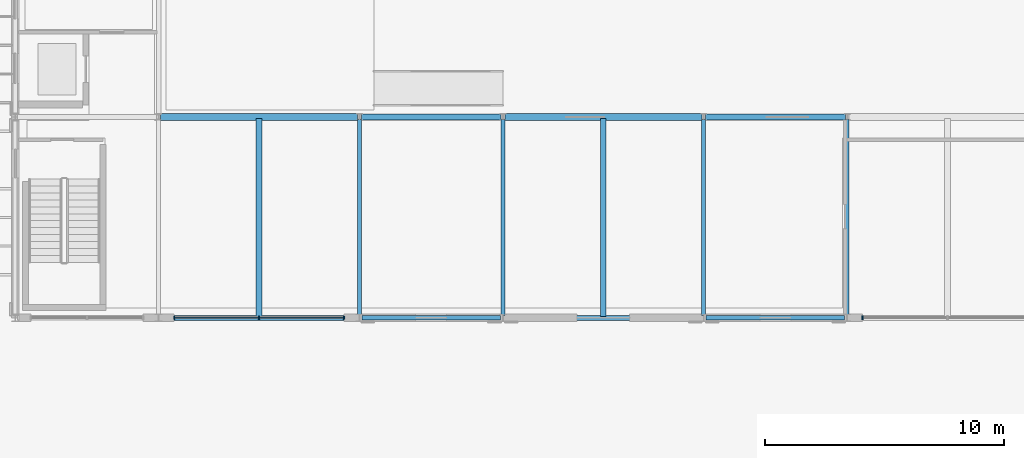
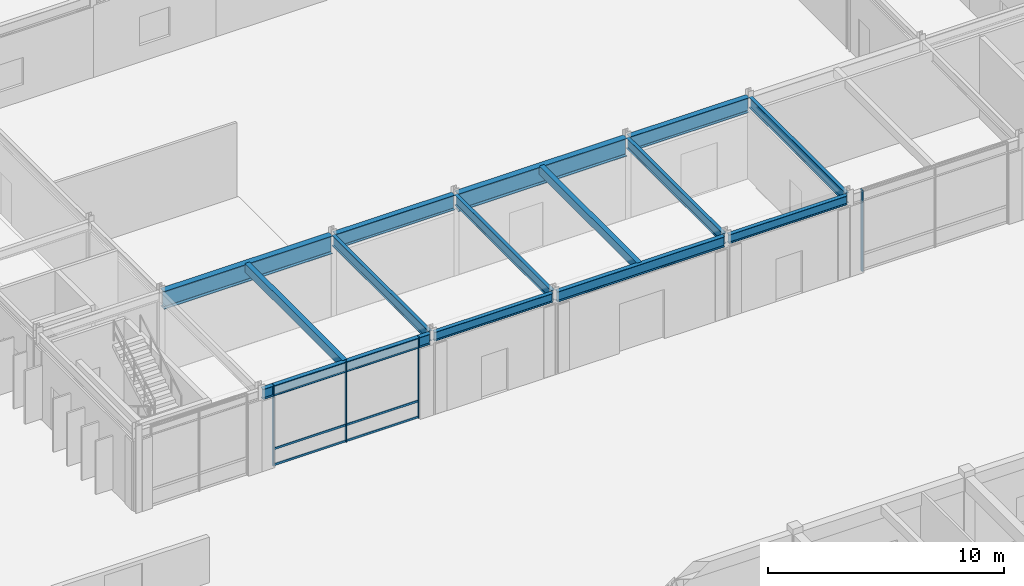
# One storey, part 17 of 67: 14 beams, 7 members, 2 elements without a shape of their own.
"""IFC4 building model written with IfcOpenShell, lengths in metres."""

from ifc_helpers import new_model, si_unit, direction, frame, origin, origin_2d, place, context, subcontext, project, spatial, rectangle, i_section, extrude, material, material_profile, profile_set, type_object, element, aggregate, save


model = new_model("IFC4")

# Units and contexts
model_context = context("Model", 3, precision=1e-05, world=origin(), true_north=direction((0.0, 1.0)))
body_context = subcontext(model_context, "Body", "Model", "MODEL_VIEW")
ifc_project = project(units=[si_unit("LENGTHUNIT", "METRE"), si_unit("AREAUNIT", "SQUARE_METRE"), si_unit("VOLUMEUNIT", "CUBIC_METRE"), si_unit("PLANEANGLEUNIT", "RADIAN"), si_unit("MASSUNIT", "GRAM", prefix="KILO"), si_unit("THERMODYNAMICTEMPERATUREUNIT", "KELVIN")], contexts=[model_context])

# Site, building, storey
site_placement = place(None, origin())
site = spatial("IfcSite", under=ifc_project, at=site_placement, CompositionType="ELEMENT")
building_placement = place(site_placement, origin())
building = spatial("IfcBuilding", under=site, at=building_placement, Name="Thalorik Housing Commons", CompositionType="ELEMENT")
storey_placement = place(building_placement, origin())
storey = spatial("IfcBuildingStorey", under=building, at=storey_placement, Name="L00", CompositionType="ELEMENT", Elevation=0.0)

# Curtain wall, members
ifc_material_1 = material(Name="Anodised aluminium and solar-control low-E glass", Category="aluminium")
curtain_wall_type = type_object("IfcCurtainWallType", Name="ARC-CW-CIVIC", PredefinedType="USERDEFINED", material=ifc_material_1)
curtain_wall_1_placement = place(storey_placement, origin())
curtain_wall_1 = element("IfcCurtainWall", 1, at=curtain_wall_1_placement, inside=storey, type_object=curtain_wall_type, Name="L00 Curtain Wall CW-HALL-L00-210", ObjectType="CURTAIN WALL", PredefinedType="USERDEFINED")
ifc_material_2 = material(Name="Anodised aluminium 6063-T6", Category="aluminium")
ifc_material_profile_1 = material_profile(ifc_material_2, rectangle(XDim=0.054931640625, YDim=0.139892578125, at=origin_2d()), Name="ALU MUL 55x140", Category="aluminium")
ifc_profile_set_1 = profile_set([ifc_material_profile_1], Name="Anodised aluminium 6063-T6")
member_type_1 = type_object("IfcMemberType", Name="ARC-CW-MUL-55x140", PredefinedType="MULLION", material=ifc_profile_set_1)
member_1_placement = place(storey_placement, frame((72.64990234375, 57.60009765625, 0.0), z_axis=(0.0, 0.0, 1.0), x_axis=(1.0, 0.0, 0.0)))
member_1 = element("IfcMember", 2, at=member_1_placement, type_object=member_type_1, Name="CW-HALL-L00-210 Mullion 1", PredefinedType="MULLION", context=body_context, shape_type="SweptSolid", body=[
    extrude(rectangle(XDim=0.054931640625, YDim=0.139892578125, at=origin_2d()), origin(), (0.0, 0.0, 1.0), 4.199951171875),
])
member_2_placement = place(storey_placement, frame((76.199951171875, 57.60009765625, 0.0), z_axis=(0.0, 0.0, 1.0), x_axis=(1.0, 0.0, 0.0)))
member_2 = element("IfcMember", 3, at=member_2_placement, type_object=member_type_1, Name="CW-HALL-L00-210 Mullion 2", PredefinedType="MULLION", context=body_context, shape_type="SweptSolid", body=[
    extrude(rectangle(XDim=0.054931640625, YDim=0.139892578125, at=origin_2d()), origin(), (0.0, 0.0, 1.0), 4.199951171875),
])
member_3_placement = place(storey_placement, frame((79.75, 57.60009765625, 0.0), z_axis=(0.0, 0.0, 1.0), x_axis=(1.0, 0.0, 0.0)))
member_3 = element("IfcMember", 4, at=member_3_placement, type_object=member_type_1, Name="CW-HALL-L00-210 Mullion 3", PredefinedType="MULLION", context=body_context, shape_type="SweptSolid", body=[
    extrude(rectangle(XDim=0.054931640625, YDim=0.139892578125, at=origin_2d()), origin(), (0.0, 0.0, 1.0), 4.199951171875),
])

# Curtain wall, member
curtain_wall_2_placement = place(storey_placement, origin())
curtain_wall_2 = element("IfcCurtainWall", 5, at=curtain_wall_2_placement, inside=storey, type_object=curtain_wall_type, Name="L00 Curtain Wall CW-HALL-L00-211", ObjectType="CURTAIN WALL", PredefinedType="USERDEFINED")
ifc_material_profile_2 = material_profile(ifc_material_2, rectangle(XDim=0.06005859375, YDim=0.159912109375, at=origin_2d()), Name="ALU MUL 60x160", Category="aluminium")
ifc_profile_set_2 = profile_set([ifc_material_profile_2], Name="Anodised aluminium 6063-T6")
member_type_2 = type_object("IfcMemberType", Name="ARC-CW-MUL-60x160", PredefinedType="MULLION", material=ifc_profile_set_2)
member_4_placement = place(storey_placement, frame((101.449951171875, 57.60009765625, 0.0), z_axis=(0.0, 0.0, 1.0), x_axis=(1.0, 0.0, 0.0)))
member_4 = element("IfcMember", 6, at=member_4_placement, type_object=member_type_2, Name="CW-HALL-L00-211 Mullion 1", PredefinedType="MULLION", context=body_context, shape_type="SweptSolid", body=[
    extrude(rectangle(XDim=0.06005859375, YDim=0.159912109375, at=origin_2d()), origin(), (0.0, 0.0, 1.0), 4.199951171875),
])
aggregate(curtain_wall_2, [member_4])

# Member
ifc_material_profile_3 = material_profile(ifc_material_2, rectangle(XDim=0.054931640625, YDim=0.10498046875, at=origin_2d()), Name="ALU TRN 55x105", Category="aluminium")
ifc_profile_set_3 = profile_set([ifc_material_profile_3], Name="Anodised aluminium 6063-T6")
member_type_3 = type_object("IfcMemberType", Name="ARC-CW-TRN-55x105", PredefinedType="USERDEFINED", material=ifc_profile_set_3)
member_5_placement = place(storey_placement, frame((72.64990234375, 57.60009765625, 0.054931640625), z_axis=(1.0, 0.0, 0.0), x_axis=(0.0, 1.0, 0.0)))
member_5 = element("IfcMember", 7, at=member_5_placement, type_object=member_type_3, Name="CW-HALL-L00-210 Transom 1", ObjectType="TRANSOM", PredefinedType="USERDEFINED", context=body_context, shape_type="SweptSolid", body=[
    extrude(rectangle(XDim=0.054931640625, YDim=0.10498046875, at=origin_2d()), origin(), (0.0, 0.0, 1.0), 7.10009765625),
])

member_6_placement = place(storey_placement, frame((72.64990234375, 57.60009765625, 0.8798828125), z_axis=(1.0, 0.0, 0.0), x_axis=(0.0, 1.0, 0.0)))
member_6 = element("IfcMember", 8, at=member_6_placement, type_object=member_type_3, Name="CW-HALL-L00-210 Transom 2", ObjectType="TRANSOM", PredefinedType="USERDEFINED", context=body_context, shape_type="SweptSolid", body=[
    extrude(rectangle(XDim=0.054931640625, YDim=0.10498046875, at=origin_2d()), origin(), (0.0, 0.0, 1.0), 7.10009765625),
])

member_7_placement = place(storey_placement, frame((72.64990234375, 57.60009765625, 4.14501953125), z_axis=(1.0, 0.0, 0.0), x_axis=(0.0, 1.0, 0.0)))
member_7 = element("IfcMember", 9, at=member_7_placement, type_object=member_type_3, Name="CW-HALL-L00-210 Transom 3", ObjectType="TRANSOM", PredefinedType="USERDEFINED", context=body_context, shape_type="SweptSolid", body=[
    extrude(rectangle(XDim=0.054931640625, YDim=0.10498046875, at=origin_2d()), origin(), (0.0, 0.0, 1.0), 7.10009765625),
])

aggregate(curtain_wall_1, [member_1, member_2, member_3, member_5, member_6, member_7])

# Beams
ifc_material_3 = material(Name="Steel S355", Category="steel")
ifc_material_profile_4 = material_profile(ifc_material_3, i_section(OverallWidth=0.19189453125, OverallDepth=0.462890625, WebThickness=0.010498046875, FlangeThickness=0.017578125, FilletRadius=0.011962890625, at=origin_2d()), Name="W460x89", Category="steel")
ifc_profile_set_4 = profile_set([ifc_material_profile_4], Name="Steel S355")
beam_type_1 = type_object("IfcBeamType", Name="STR-BM-W460x89", PredefinedType="BEAM", material=ifc_profile_set_4)
for number, where, z_axis, x_axis, name in (
    (10, (80.5048828125, 57.60009765625, 3.968505859375), (1.0, 0.0, 0.0), (0.0, 1.0, 0.0), "L00 Beam SB-460"),
    (11, (94.905029296875, 57.60009765625, 3.968505859375), (1.0, 0.0, 0.0), (0.0, 1.0, 0.0), "L00 Beam SB-460"),
):
    element("IfcBeam", number, at=place(storey_placement, frame(where, z_axis=z_axis, x_axis=x_axis)), inside=storey, type_object=beam_type_1, Name=name, PredefinedType="BEAM", context=body_context, shape_type="SweptSolid", body=[
        extrude(i_section(OverallWidth=0.19189453125, OverallDepth=0.462890625, WebThickness=0.010498046875, FlangeThickness=0.017578125, FilletRadius=0.011962890625, at=origin_2d()), origin(), (0.0, 0.0, 1.0), 5.7900390625),
    ])
ifc_material_profile_5 = material_profile(ifc_material_3, i_section(OverallWidth=0.2109375, OverallDepth=0.5390625, WebThickness=0.01171875, FlangeThickness=0.018798828125, FilletRadius=0.012939453125, at=origin_2d()), Name="W530x109", Category="steel")
ifc_profile_set_5 = profile_set([ifc_material_profile_5], Name="Steel S355")
beam_type_2 = type_object("IfcBeamType", Name="STR-BM-W530x109", PredefinedType="BEAM", material=ifc_profile_set_5)
beam_1_placement = place(storey_placement, frame((72.10498046875, 57.60009765625, 3.930419921875), z_axis=(1.0, 0.0, 0.0), x_axis=(0.0, 1.0, 0.0)))
element("IfcBeam", 12, at=beam_1_placement, inside=storey, type_object=beam_type_2, Name="L00 Beam SB-530", PredefinedType="BEAM", context=body_context, shape_type="SweptSolid", body=[
    extrude(i_section(OverallWidth=0.2109375, OverallDepth=0.5390625, WebThickness=0.01171875, FlangeThickness=0.018798828125, FilletRadius=0.012939453125, at=origin_2d()), origin(), (0.0, 0.0, 1.0), 8.18994140625),
])
beam_2_placement = place(storey_placement, frame((86.5048828125, 57.60009765625, 3.930419921875), z_axis=(1.0, 0.0, 0.0), x_axis=(0.0, 1.0, 0.0)))
element("IfcBeam", 13, at=beam_2_placement, inside=storey, type_object=beam_type_2, Name="L00 Beam SB-530", PredefinedType="BEAM", context=body_context, shape_type="SweptSolid", body=[
    extrude(i_section(OverallWidth=0.2109375, OverallDepth=0.5390625, WebThickness=0.01171875, FlangeThickness=0.018798828125, FilletRadius=0.012939453125, at=origin_2d()), origin(), (0.0, 0.0, 1.0), 8.190185546875),
])
ifc_material_profile_6 = material_profile(ifc_material_3, i_section(OverallWidth=0.166015625, OverallDepth=0.534912109375, WebThickness=0.01025390625, FlangeThickness=0.0166015625, FilletRadius=0.012939453125, at=origin_2d()), Name="W530x85", Category="steel")
ifc_profile_set_6 = profile_set([ifc_material_profile_6], Name="Steel S355")
beam_type_3 = type_object("IfcBeamType", Name="STR-BM-W530x85", PredefinedType="BEAM", material=ifc_profile_set_6)
for number, where, z_axis, x_axis, name in (
    (14, (80.39990234375, 57.7041015625, 3.9326171875), (0.0, 1.0, 0.0), (-1.0, 0.0, 0.0), "L00 Beam SB-535"),
    (15, (86.39990234375, 57.7041015625, 3.9326171875), (0.0, 1.0, 0.0), (-1.0, 0.0, 0.0), "L00 Beam SB-535"),
    (16, (94.800048828125, 57.7041015625, 3.9326171875), (0.0, 1.0, 0.0), (-1.0, 0.0, 0.0), "L00 Beam SB-535"),
    (17, (100.800048828125, 57.7041015625, 3.9326171875), (0.0, 1.0, 0.0), (-1.0, 0.0, 0.0), "L00 Beam SB-535"),
):
    element("IfcBeam", number, at=place(storey_placement, frame(where, z_axis=z_axis, x_axis=x_axis)), inside=storey, type_object=beam_type_3, Name=name, PredefinedType="BEAM", context=body_context, shape_type="SweptSolid", body=[
        extrude(i_section(OverallWidth=0.166015625, OverallDepth=0.534912109375, WebThickness=0.01025390625, FlangeThickness=0.0166015625, FilletRadius=0.012939453125, at=origin_2d()), origin(), (0.0, 0.0, 1.0), 8.218994140625),
    ])
ifc_material_profile_7 = material_profile(ifc_material_3, i_section(OverallWidth=0.26806640625, OverallDepth=0.77001953125, WebThickness=0.015625, FlangeThickness=0.025390625, FilletRadius=0.01611328125, at=origin_2d()), Name="W760x196", Category="steel")
ifc_profile_set_7 = profile_set([ifc_material_profile_7], Name="Steel S355")
beam_type_4 = type_object("IfcBeamType", Name="STR-BM-W760x196", PredefinedType="BEAM", material=ifc_profile_set_7)
for number, where, z_axis, x_axis, name in (
    (18, (80.47998046875, 66.0, 3.81494140625), (1.0, 0.0, 0.0), (0.0, 1.0, 0.0), "L00 Beam SB-460"),
    (19, (94.8798828125, 66.0, 3.81494140625), (1.0, 0.0, 0.0), (0.0, 1.0, 0.0), "L00 Beam SB-460"),
):
    element("IfcBeam", number, at=place(storey_placement, frame(where, z_axis=z_axis, x_axis=x_axis)), inside=storey, type_object=beam_type_4, Name=name, PredefinedType="BEAM", context=body_context, shape_type="SweptSolid", body=[
        extrude(i_section(OverallWidth=0.26806640625, OverallDepth=0.77001953125, WebThickness=0.015625, FlangeThickness=0.025390625, FilletRadius=0.01611328125, at=origin_2d()), origin(), (0.0, 0.0, 1.0), 5.840087890625),
    ])
ifc_material_profile_8 = material_profile(ifc_material_3, i_section(OverallWidth=0.305908203125, OverallDepth=0.9189453125, WebThickness=0.017333984375, FlangeThickness=0.02783203125, FilletRadius=0.01806640625, at=origin_2d()), Name="W920x253", Category="steel")
ifc_profile_set_8 = profile_set([ifc_material_profile_8], Name="Steel S355")
beam_type_5 = type_object("IfcBeamType", Name="STR-BM-W920x253", PredefinedType="BEAM", material=ifc_profile_set_8)
for number, where, z_axis, x_axis, name in (
    (20, (72.080078125, 66.0, 3.740478515625), (1.0, 0.0, 0.0), (0.0, 1.0, 0.0), "L00 Beam SB-530"),
    (21, (86.47998046875, 66.0, 3.740478515625), (1.0, 0.0, 0.0), (0.0, 1.0, 0.0), "L00 Beam SB-530"),
):
    element("IfcBeam", number, at=place(storey_placement, frame(where, z_axis=z_axis, x_axis=x_axis)), inside=storey, type_object=beam_type_5, Name=name, PredefinedType="BEAM", context=body_context, shape_type="SweptSolid", body=[
        extrude(i_section(OverallWidth=0.305908203125, OverallDepth=0.9189453125, WebThickness=0.017333984375, FlangeThickness=0.02783203125, FilletRadius=0.01806640625, at=origin_2d()), origin(), (0.0, 0.0, 1.0), 8.239990234375),
    ])
ifc_material_4 = material(Name="Precast concrete C40/50", Category="concrete")
ifc_material_profile_9 = material_profile(ifc_material_4, rectangle(XDim=0.239990234375, YDim=0.43994140625, at=origin_2d()), Name="PC JST 240x440", Category="concrete")
ifc_profile_set_9 = profile_set([ifc_material_profile_9], Name="Precast concrete C40/50")
beam_type_6 = type_object("IfcBeamType", Name="STR-JST-PC240x440", PredefinedType="JOIST", material=ifc_profile_set_9)
for number, where, z_axis, x_axis, name in (
    (22, (76.199951171875, 57.655517578125, 3.97998046875), (0.0, 1.0, 0.0), (-1.0, 0.0, 0.0), "L00 Beam J-440"),
    (23, (90.60009765625, 57.655517578125, 3.97998046875), (0.0, 1.0, 0.0), (-1.0, 0.0, 0.0), "L00 Beam J-440"),
):
    element("IfcBeam", number, at=place(storey_placement, frame(where, z_axis=z_axis, x_axis=x_axis)), inside=storey, type_object=beam_type_6, Name=name, PredefinedType="JOIST", context=body_context, shape_type="SweptSolid", body=[
        extrude(rectangle(XDim=0.239990234375, YDim=0.43994140625, at=origin_2d()), origin(), (0.0, 0.0, 1.0), 8.2890625),
    ])

save(model, "model.ifc")
